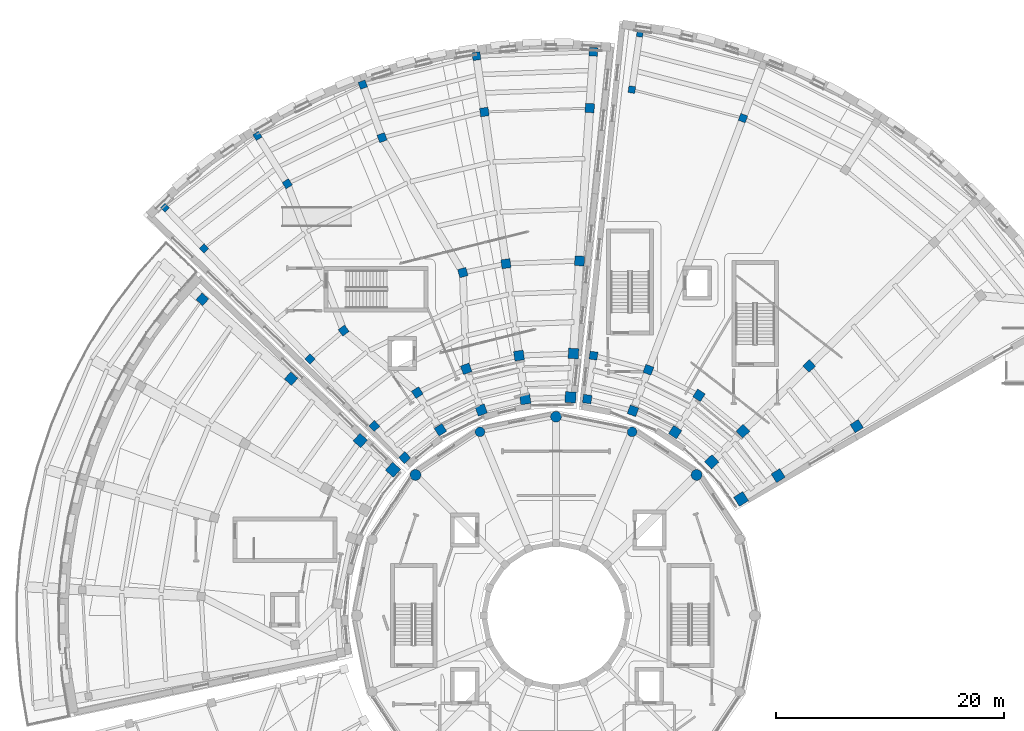
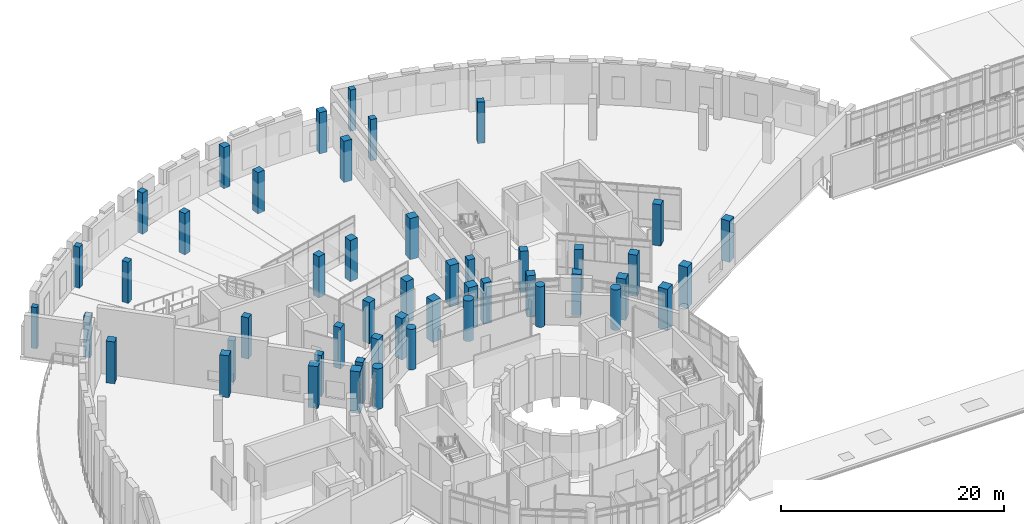
# One storey, part 2 of 75: 49 columns.
"""IFC4 building model written with IfcOpenShell, lengths in metres."""

from ifc_helpers import new_model, si_unit, direction, frame, origin, origin_2d, place, context, subcontext, project, spatial, rectangle, circle, extrude, material, material_profile, profile_set, type_object, element, save


model = new_model("IFC4")

# Units and contexts
model_context = context("Model", 3, precision=1e-05, world=origin(), true_north=direction((0.0, 1.0)))
body_context = subcontext(model_context, "Body", "Model", "MODEL_VIEW")
ifc_project = project(units=[si_unit("LENGTHUNIT", "METRE"), si_unit("AREAUNIT", "SQUARE_METRE"), si_unit("VOLUMEUNIT", "CUBIC_METRE"), si_unit("PLANEANGLEUNIT", "RADIAN"), si_unit("MASSUNIT", "GRAM", prefix="KILO")], contexts=[model_context])

# Site, building, storey
site_placement = place(None, origin())
site = spatial("IfcSite", under=ifc_project, at=site_placement, CompositionType="ELEMENT")
building_placement = place(site_placement, origin())
building = spatial("IfcBuilding", under=site, at=building_placement, Name="Soyqirgoq Riverine Aquarium", CompositionType="ELEMENT")
storey_placement = place(building_placement, frame((0.0, 0.0, 10.199951171875)))
storey = spatial("IfcBuildingStorey", under=building, at=storey_placement, Name="L03", CompositionType="ELEMENT", Elevation=10.199951171875)

# Columns
ifc_material_1 = material(Name="Concrete C40/50", Category="concrete")
ifc_material_profile_1 = material_profile(ifc_material_1, circle(Radius=0.425048828125, at=origin_2d()), Name="RC-COL D850")
ifc_profile_set_1 = profile_set([ifc_material_profile_1], Name="Concrete C40/50")
column_type_1 = type_object("IfcColumnType", Name="Col_Circ_D850", PredefinedType="COLUMN", material=ifc_profile_set_1)
for number, where, z_axis, x_axis, name in (
    (1, (62.677734375, 73.12158203125, 0.0), (0.0, 0.0, 1.0), (0.382683432365, 0.923879532511, 0.0), "V1 Column V1-CO04 L03"),
    (2, (49.322265625, 73.12158203125, 0.0), (0.0, 0.0, 1.0), (-0.382683432365, 0.923879532511, 0.0), "V1 Column V1-CO06 L03"),
):
    element("IfcColumn", number, at=place(storey_placement, frame(where, z_axis=z_axis, x_axis=x_axis)), inside=storey, type_object=column_type_1, Name=name, PredefinedType="COLUMN", context=body_context, shape_type="SweptSolid", body=[
        extrude(circle(Radius=0.425048828125, at=origin_2d()), origin(), (0.0, 0.0, 1.0), 4.449951171875),
    ])
ifc_material_2 = material(Name="Concrete C40/50", Category="concrete")
ifc_material_profile_2 = material_profile(ifc_material_2, circle(Radius=0.47509765625, at=origin_2d()), Name="RC-COL D950")
ifc_profile_set_2 = profile_set([ifc_material_profile_2], Name="Concrete C40/50")
column_type_2 = type_object("IfcColumnType", Name="Col_Circ_D950", PredefinedType="COLUMN", material=ifc_profile_set_2)
for number, where, z_axis, x_axis, name in (
    (3, (68.339111328125, 69.339111328125, 0.0), (0.0, 0.0, 1.0), (0.707106781187, 0.707106781187, 0.0), "V1 Column V1-CO03 L03"),
    (4, (56.0, 74.449951171875, 0.0), (0.0, 0.0, 1.0), (0.0, 1.0, 0.0), "V1 Column V1-CO05 L03"),
    (5, (43.660888671875, 69.339111328125, 0.0), (0.0, 0.0, 1.0), (-0.707106781187, 0.707106781187, 0.0), "V1 Column V1-CO07 L03"),
):
    element("IfcColumn", number, at=place(storey_placement, frame(where, z_axis=z_axis, x_axis=x_axis)), inside=storey, type_object=column_type_2, Name=name, PredefinedType="COLUMN", context=body_context, shape_type="SweptSolid", body=[
        extrude(circle(Radius=0.47509765625, at=origin_2d()), origin(), (0.0, 0.0, 1.0), 4.449951171875),
    ])
ifc_material_3 = material(Name="Concrete C40/50", Category="concrete")
ifc_material_profile_3 = material_profile(ifc_material_3, rectangle(XDim=0.550048828125, YDim=0.550048828125, at=origin_2d()), Name="RC 550x550")
ifc_profile_set_3 = profile_set([ifc_material_profile_3], Name="Concrete C40/50")
column_type_3 = type_object("IfcColumnType", Name="Col_RC_550x550", PredefinedType="COLUMN", material=ifc_profile_set_3)
for number, where, z_axis, x_axis, name in (
    (6, (21.669677734375, 92.79931640625, 0.0), (0.0, 0.0, 1.0), (-0.69214317387, 0.721760228098, 0.0), "V4 Column V4-CR5-05 L03"),
    (7, (63.359619140625, 108.072509765625, 0.0), (0.0, 0.0, 1.0), (0.142628933706, 0.989776230908, 0.0), "V5 Column V5-CR5-05 L03"),
):
    element("IfcColumn", number, at=place(storey_placement, frame(where, z_axis=z_axis, x_axis=x_axis)), inside=storey, type_object=column_type_3, Name=name, PredefinedType="COLUMN", context=body_context, shape_type="SweptSolid", body=[
        extrude(rectangle(XDim=0.550048828125, YDim=0.550048828125, at=origin_2d()), origin(), (0.0, 0.0, 1.0), 4.52001953125),
    ])
ifc_material_4 = material(Name="Concrete C40/50", Category="concrete")
ifc_material_profile_4 = material_profile(ifc_material_4, rectangle(XDim=0.60009765625, YDim=0.60009765625, at=origin_2d()), Name="RC 600x600")
ifc_profile_set_4 = profile_set([ifc_material_profile_4], Name="Concrete C40/50")
column_type_4 = type_object("IfcColumnType", Name="Col_RC_600x600", PredefinedType="COLUMN", material=ifc_profile_set_4)
for number, where, z_axis, x_axis, name in (
    (8, (29.78955078125, 99.10888671875, 0.0), (0.0, 0.0, 1.0), (-0.528438334722, 0.848971687629, 0.0), "V4 Column V4-CR5-04 L03"),
    (9, (25.095703125, 89.2265625, 0.0), (0.0, 0.0, 1.0), (-0.69214317387, 0.721760228098, 0.0), "V4 Column V4-CR4-05 L03"),
    (10, (62.653564453125, 103.173095703125, 0.0), (0.0, 0.0, 1.0), (0.142628933706, 0.989776230908, 0.0), "V5 Column V5-CR4-05 L03"),
):
    element("IfcColumn", number, at=place(storey_placement, frame(where, z_axis=z_axis, x_axis=x_axis)), inside=storey, type_object=column_type_4, Name=name, PredefinedType="COLUMN", context=body_context, shape_type="SweptSolid", body=[
        extrude(rectangle(XDim=0.60009765625, YDim=0.60009765625, at=origin_2d()), origin(), (0.0, 0.0, 1.0), 4.52001953125),
    ])
ifc_material_5 = material(Name="Concrete C40/50", Category="concrete")
ifc_material_profile_5 = material_profile(ifc_material_5, rectangle(XDim=0.64990234375, YDim=0.64990234375, at=origin_2d()), Name="RC 650x650")
ifc_profile_set_5 = profile_set([ifc_material_profile_5], Name="Concrete C40/50")
column_type_5 = type_object("IfcColumnType", Name="Col_RC_650x650", PredefinedType="COLUMN", material=ifc_profile_set_5)
for number, where, z_axis, x_axis, name in (
    (11, (39.035888671875, 103.60888671875, 0.0), (0.0, 0.0, 1.0), (-0.342020143326, 0.939692620786, 0.0), "V4 Column V4-CR5-03 L03"),
    (12, (32.4052734375, 94.906494140625, 0.0), (0.0, 0.0, 1.0), (-0.528438334722, 0.848971687629, 0.0), "V4 Column V4-CR4-04 L03"),
    (13, (34.405029296875, 79.518798828125, 0.0), (0.0, 0.0, 1.0), (-0.69214317387, 0.721760228098, 0.0), "V4 Column V4-CR3-05 L03"),
    (14, (72.413330078125, 100.667236328125, 0.0), (0.0, 0.0, 1.0), (0.351841648405, 0.936059535739, 0.0), "V5 Column V5-CR4-04 L03"),
):
    element("IfcColumn", number, at=place(storey_placement, frame(where, z_axis=z_axis, x_axis=x_axis)), inside=storey, type_object=column_type_5, Name=name, PredefinedType="COLUMN", context=body_context, shape_type="SweptSolid", body=[
        extrude(rectangle(XDim=0.64990234375, YDim=0.64990234375, at=origin_2d()), origin(), (0.0, 0.0, 1.0), 4.52001953125),
    ])
ifc_material_6 = material(Name="Concrete C40/50", Category="concrete")
ifc_material_profile_6 = material_profile(ifc_material_6, rectangle(XDim=0.699951171875, YDim=0.699951171875, at=origin_2d()), Name="RC 700x700")
ifc_profile_set_6 = profile_set([ifc_material_profile_6], Name="Concrete C40/50")
column_type_6 = type_object("IfcColumnType", Name="Col_RC_700x700", PredefinedType="COLUMN", material=ifc_profile_set_6)
for number, where, z_axis, x_axis, name in (
    (15, (49.01123046875, 106.105224609375, 0.0), (0.0, 0.0, 1.0), (-0.140901231938, 0.990023657717, 0.0), "V4 Column V4-CR5-02 L03"),
    (16, (40.728759765625, 98.957275390625, 0.0), (0.0, 0.0, 1.0), (-0.342020143326, 0.939692620786, 0.0), "V4 Column V4-CR4-03 L03"),
    (17, (37.35400390625, 82.015380859375, 0.0), (0.0, 0.0, 1.0), (-0.597625146976, 0.801775644244, 0.0), "V4 Column V4-CR3-04 L03"),
    (18, (40.046142578125, 73.63671875, 0.0), (0.0, 0.0, 1.0), (-0.69214317387, 0.721760228098, 0.0), "V4 Column V4-CR2-05 L03"),
    (19, (59.28759765625, 79.814208984375, 0.0), (0.0, 0.0, 1.0), (0.142628933706, 0.989776230908, 0.0), "V5 Column V5-CR2-05 L03"),
):
    element("IfcColumn", number, at=place(storey_placement, frame(where, z_axis=z_axis, x_axis=x_axis)), inside=storey, type_object=column_type_6, Name=name, PredefinedType="COLUMN", context=body_context, shape_type="SweptSolid", body=[
        extrude(rectangle(XDim=0.699951171875, YDim=0.699951171875, at=origin_2d()), origin(), (0.0, 0.0, 1.0), 4.52001953125),
    ])
ifc_material_7 = material(Name="Concrete C40/50", Category="concrete")
ifc_material_profile_7 = material_profile(ifc_material_7, rectangle(XDim=0.75, YDim=0.75, at=origin_2d()), Name="RC 750x750")
ifc_profile_set_7 = profile_set([ifc_material_profile_7], Name="Concrete C40/50")
column_type_7 = type_object("IfcColumnType", Name="Col_RC_750x750", PredefinedType="COLUMN", material=ifc_profile_set_7)
for number, where, z_axis, x_axis, name in (
    (20, (59.287109375, 106.490966796875, 0.0), (0.0, 0.0, 1.0), (0.0662739004, 0.997801468292, 0.0), "V4 Column V4-CR5-01 L03"),
    (21, (49.708740234375, 101.20458984375, 0.0), (0.0, 0.0, 1.0), (-0.140901231938, 0.990023657717, 0.0), "V4 Column V4-CR4-02 L03"),
    (22, (47.819580078125, 87.1083984375, 0.0), (0.0, 0.0, 1.0), (-0.262189178641, 0.965016494472, 0.0), "V4 Column V4-CR3-03 L03"),
    (23, (43.819580078125, 76.56884765625, 0.0), (0.0, 0.0, 1.0), (-0.528438334722, 0.848971687629, 0.0), "V4 Column V4-CR2-04 L03"),
    (24, (42.7109375, 70.85791015625, 0.0), (0.0, 0.0, 1.0), (-0.69214317387, 0.721760228098, 0.0), "V4 Column V4-CR1-05 L03"),
    (25, (64.10986328125, 78.576171875, 0.0), (0.0, 0.0, 1.0), (0.351841648405, 0.936059535739, 0.0), "V5 Column V5-CR2-04 L03"),
    (26, (58.738525390625, 76.003662109375, 0.0), (0.0, 0.0, 1.0), (0.142628933706, 0.989776230908, 0.0), "V5 Column V5-CR1-05 L03"),
):
    element("IfcColumn", number, at=place(storey_placement, frame(where, z_axis=z_axis, x_axis=x_axis)), inside=storey, type_object=column_type_7, Name=name, PredefinedType="COLUMN", context=body_context, shape_type="SweptSolid", body=[
        extrude(rectangle(XDim=0.75, YDim=0.75, at=origin_2d()), origin(), (0.0, 0.0, 1.0), 4.52001953125),
    ])
ifc_material_8 = material(Name="Concrete C40/50", Category="concrete")
ifc_material_profile_8 = material_profile(ifc_material_8, rectangle(XDim=0.800048828125, YDim=0.800048828125, at=origin_2d()), Name="RC 800x800")
ifc_profile_set_8 = profile_set([ifc_material_profile_8], Name="Concrete C40/50")
column_type_8 = type_object("IfcColumnType", Name="Col_RC_800x800", PredefinedType="COLUMN", material=ifc_profile_set_8)
column_1_placement = place(storey_placement, frame((24.950927734375, 84.760986328125, 0.0), z_axis=(0.0, 0.0, 1.0), x_axis=(-0.745475999683, 0.666532470249, 0.0)))
element("IfcColumn", 27, at=column_1_placement, inside=storey, type_object=column_type_8, Name="V3 Column V3-CR4-01 L03", PredefinedType="COLUMN", context=body_context, shape_type="SweptSolid", body=[
    extrude(rectangle(XDim=0.800048828125, YDim=0.800048828125, at=origin_2d()), origin(), (0.0, 0.0, 1.0), 4.580078125),
])
for number, where, z_axis, x_axis, name in (
    (28, (58.958984375, 101.5517578125, 0.0), (0.0, 0.0, 1.0), (0.0662739004, 0.997801468292, 0.0), "V4 Column V4-CR4-01 L03"),
    (29, (51.60400390625, 87.888671875, 0.0), (0.0, 0.0, 1.0), (-0.140901231938, 0.990023657717, 0.0), "V4 Column V4-CR3-02 L03"),
    (30, (48.116455078125, 78.659912109375, 0.0), (0.0, 0.0, 1.0), (-0.342020143326, 0.939692620786, 0.0), "V4 Column V4-CR2-03 L03"),
    (31, (45.85400390625, 73.30029296875, 0.0), (0.0, 0.0, 1.0), (-0.528438334722, 0.848971687629, 0.0), "V4 Column V4-CR1-04 L03"),
    (32, (78.215087890625, 78.9072265625, 0.0), (0.0, 0.0, 1.0), (0.712026045991, 0.702153052995, 0.0), "V5 Column V5-CR3-02 L03"),
    (33, (68.553955078125, 76.331298828125, 0.0), (0.0, 0.0, 1.0), (0.544639035015, 0.838670567945, 0.0), "V5 Column V5-CR2-03 L03"),
    (34, (62.75537109375, 74.972412109375, 0.0), (0.0, 0.0, 1.0), (0.351841648405, 0.936059535739, 0.0), "V5 Column V5-CR1-04 L03"),
):
    element("IfcColumn", number, at=place(storey_placement, frame(where, z_axis=z_axis, x_axis=x_axis)), inside=storey, type_object=column_type_8, Name=name, PredefinedType="COLUMN", context=body_context, shape_type="SweptSolid", body=[
        extrude(rectangle(XDim=0.800048828125, YDim=0.800048828125, at=origin_2d()), origin(), (0.0, 0.0, 1.0), 4.52001953125),
    ])
ifc_material_9 = material(Name="Concrete C40/50", Category="concrete")
ifc_material_profile_9 = material_profile(ifc_material_9, rectangle(XDim=0.85009765625, YDim=0.85009765625, at=origin_2d()), Name="RC 850x850")
ifc_profile_set_9 = profile_set([ifc_material_profile_9], Name="Concrete C40/50")
column_type_9 = type_object("IfcColumnType", Name="Col_RC_850x850", PredefinedType="COLUMN", material=ifc_profile_set_9)
column_2_placement = place(storey_placement, frame((32.7412109375, 77.7958984375, 0.0), z_axis=(0.0, 0.0, 1.0), x_axis=(-0.745475999683, 0.666532470249, 0.0)))
element("IfcColumn", 35, at=column_2_placement, inside=storey, type_object=column_type_9, Name="V3 Column V3-CR3-01 L03", PredefinedType="COLUMN", context=body_context, shape_type="SweptSolid", body=[
    extrude(rectangle(XDim=0.85009765625, YDim=0.85009765625, at=origin_2d()), origin(), (0.0, 0.0, 1.0), 4.580078125),
])
for number, where, z_axis, x_axis, name in (
    (36, (58.067626953125, 88.13134765625, 0.0), (0.0, 0.0, 1.0), (0.0662739004, 0.997801468292, 0.0), "V4 Column V4-CR3-01 L03"),
    (37, (52.752197265625, 79.820068359375, 0.0), (0.0, 0.0, 1.0), (-0.140901231938, 0.990023657717, 0.0), "V4 Column V4-CR2-02 L03"),
    (38, (49.43310546875, 75.0419921875, 0.0), (0.0, 0.0, 1.0), (-0.342020143326, 0.939692620786, 0.0), "V4 Column V4-CR1-03 L03"),
    (39, (82.401123046875, 73.625732421875, 0.0), (0.0, 0.0, 1.0), (0.846193166128, 0.532876276071, 0.0), "V5 Column V5-CR3-01 L03"),
    (40, (72.412109375, 73.1845703125, 0.0), (0.0, 0.0, 1.0), (0.712026045991, 0.702153052995, 0.0), "V5 Column V5-CR2-02 L03"),
    (41, (66.45703125, 73.1025390625, 0.0), (0.0, 0.0, 1.0), (0.544639035015, 0.838670567945, 0.0), "V5 Column V5-CR1-03 L03"),
):
    element("IfcColumn", number, at=place(storey_placement, frame(where, z_axis=z_axis, x_axis=x_axis)), inside=storey, type_object=column_type_9, Name=name, PredefinedType="COLUMN", context=body_context, shape_type="SweptSolid", body=[
        extrude(rectangle(XDim=0.85009765625, YDim=0.85009765625, at=origin_2d()), origin(), (0.0, 0.0, 1.0), 4.52001953125),
    ])
ifc_material_10 = material(Name="Concrete C40/50", Category="concrete")
ifc_material_profile_10 = material_profile(ifc_material_10, rectangle(XDim=0.89990234375, YDim=0.89990234375, at=origin_2d()), Name="RC 900x900")
ifc_profile_set_10 = profile_set([ifc_material_profile_10], Name="Concrete C40/50")
column_type_10 = type_object("IfcColumnType", Name="Col_RC_900x900", PredefinedType="COLUMN", material=ifc_profile_set_10)
column_3_placement = place(storey_placement, frame((38.81689453125, 72.363525390625, 0.0), z_axis=(0.0, 0.0, 1.0), x_axis=(-0.745475999683, 0.666532470249, 0.0)))
element("IfcColumn", 42, at=column_3_placement, inside=storey, type_object=column_type_10, Name="V3 Column V3-CR2-01 L03", PredefinedType="COLUMN", context=body_context, shape_type="SweptSolid", body=[
    extrude(rectangle(XDim=0.89990234375, YDim=0.89990234375, at=origin_2d()), origin(), (0.0, 0.0, 1.0), 4.580078125),
])
for number, where, z_axis, x_axis, name in (
    (43, (57.527587890625, 79.999267578125, 0.0), (0.0, 0.0, 1.0), (0.0662739004, 0.997801468292, 0.0), "V4 Column V4-CR2-01 L03"),
    (44, (53.294677734375, 76.008544921875, 0.0), (0.0, 0.0, 1.0), (-0.140901231938, 0.990023657717, 0.0), "V4 Column V4-CR1-02 L03"),
    (45, (75.5048828125, 69.28271484375, 0.0), (0.0, 0.0, 1.0), (0.846193166128, 0.532876276071, 0.0), "V5 Column V5-CR2-01 L03"),
    (46, (69.6708984375, 70.481201171875, 0.0), (0.0, 0.0, 1.0), (0.712026045991, 0.702153052995, 0.0), "V5 Column V5-CR1-02 L03"),
):
    element("IfcColumn", number, at=place(storey_placement, frame(where, z_axis=z_axis, x_axis=x_axis)), inside=storey, type_object=column_type_10, Name=name, PredefinedType="COLUMN", context=body_context, shape_type="SweptSolid", body=[
        extrude(rectangle(XDim=0.89990234375, YDim=0.89990234375, at=origin_2d()), origin(), (0.0, 0.0, 1.0), 4.52001953125),
    ])
ifc_material_11 = material(Name="Concrete C40/50", Category="concrete")
ifc_material_profile_11 = material_profile(ifc_material_11, rectangle(XDim=0.949951171875, YDim=0.949951171875, at=origin_2d()), Name="RC 950x950")
ifc_profile_set_11 = profile_set([ifc_material_profile_11], Name="Concrete C40/50")
column_type_11 = type_object("IfcColumnType", Name="Col_RC_950x950", PredefinedType="COLUMN", material=ifc_profile_set_11)
column_4_placement = place(storey_placement, frame((41.68701171875, 69.79736328125, 0.0), z_axis=(0.0, 0.0, 1.0), x_axis=(-0.745475999683, 0.666532470249, 0.0)))
element("IfcColumn", 47, at=column_4_placement, inside=storey, type_object=column_type_11, Name="V3 Column V3-CR1-01 L03", PredefinedType="COLUMN", context=body_context, shape_type="SweptSolid", body=[
    extrude(rectangle(XDim=0.949951171875, YDim=0.949951171875, at=origin_2d()), origin(), (0.0, 0.0, 1.0), 4.580078125),
])
for number, where, z_axis, x_axis, name in (
    (48, (57.2724609375, 76.15771484375, 0.0), (0.0, 0.0, 1.0), (0.0662739004, 0.997801468292, 0.0), "V4 Column V4-CR1-01 L03"),
    (49, (72.246826171875, 67.231201171875, 0.0), (0.0, 0.0, 1.0), (0.846193166128, 0.532876276071, 0.0), "V5 Column V5-CR1-01 L03"),
):
    element("IfcColumn", number, at=place(storey_placement, frame(where, z_axis=z_axis, x_axis=x_axis)), inside=storey, type_object=column_type_11, Name=name, PredefinedType="COLUMN", context=body_context, shape_type="SweptSolid", body=[
        extrude(rectangle(XDim=0.949951171875, YDim=0.949951171875, at=origin_2d()), origin(), (0.0, 0.0, 1.0), 4.52001953125),
    ])

save(model, "model.ifc")
